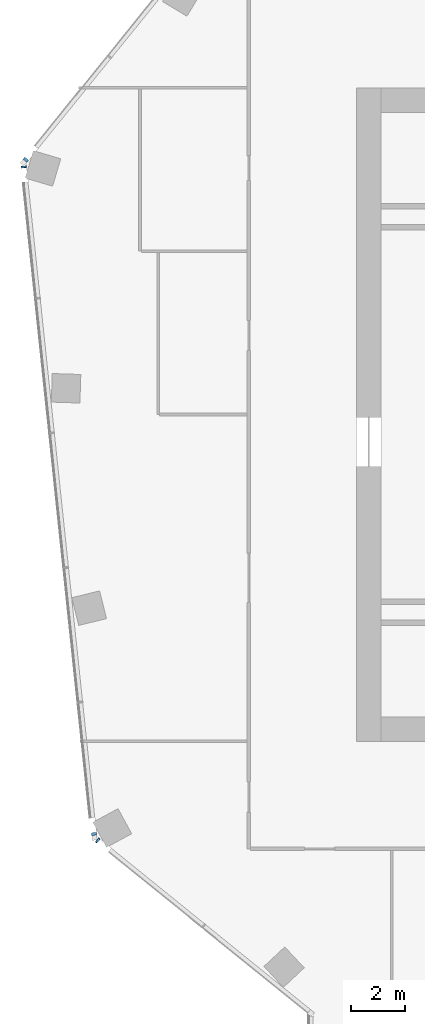
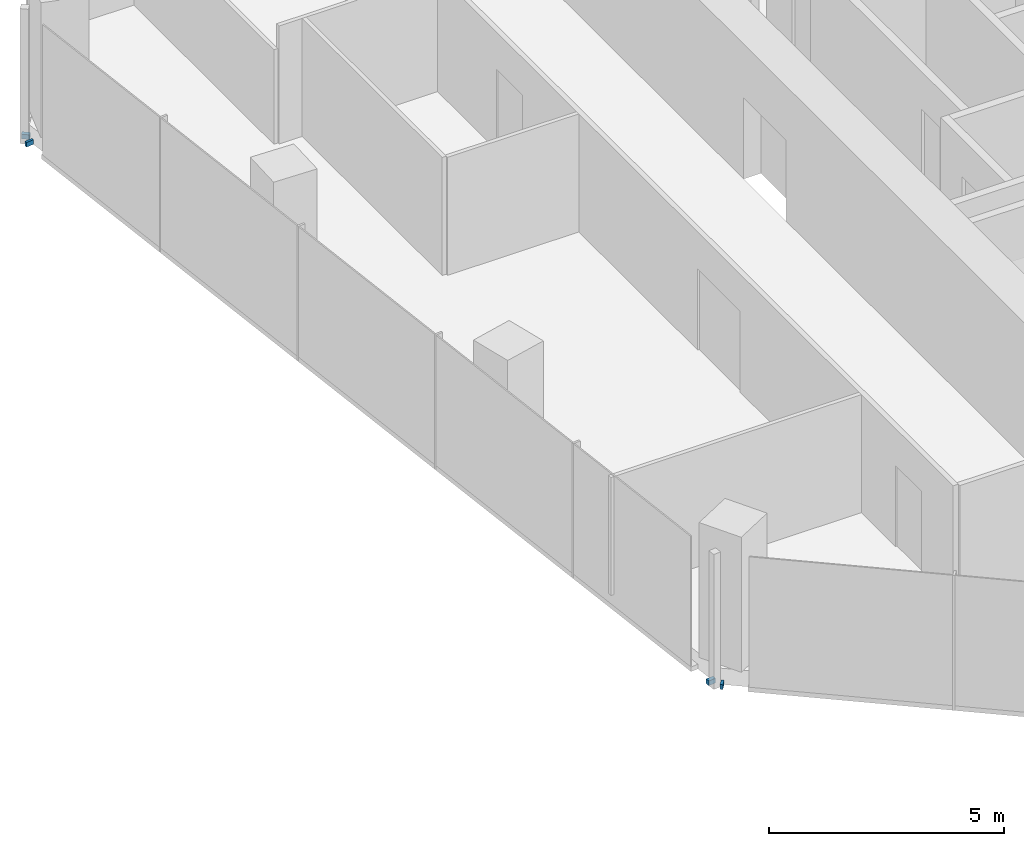
# One storey, part 13 of 23: 4 members, 3 elements without a shape of their own.
"""IFC4 building model written with IfcOpenShell, lengths in metres."""

from ifc_helpers import new_model, si_unit, direction, frame, origin, origin_2d, place, context, subcontext, project, spatial, rectangle, extrude, material, material_profile, profile_set, type_object, element, aggregate, save


model = new_model("IFC4")

# Units and contexts
model_context = context("Model", 3, precision=1e-05, world=origin(), true_north=direction((0.0, 1.0)))
body_context = subcontext(model_context, "Body", "Model", "MODEL_VIEW")
ifc_project = project(units=[si_unit("LENGTHUNIT", "METRE"), si_unit("AREAUNIT", "SQUARE_METRE"), si_unit("VOLUMEUNIT", "CUBIC_METRE"), si_unit("PLANEANGLEUNIT", "RADIAN"), si_unit("MASSUNIT", "GRAM", prefix="KILO")], contexts=[model_context])

# Site, building, storey
site_placement = place(None, origin())
site = spatial("IfcSite", under=ifc_project, at=site_placement, CompositionType="ELEMENT")
building_placement = place(site_placement, origin())
building = spatial("IfcBuilding", under=site, at=building_placement, Name="Orlundy Tower", CompositionType="ELEMENT")
storey_placement = place(building_placement, frame((0.0, 0.0, 221.0)))
storey = spatial("IfcBuildingStorey", under=building, at=storey_placement, Name="L58", CompositionType="ELEMENT", Elevation=221.0)

# Curtain wall, member
ifc_material_1 = material(Name="Aluminium bronze anodised", Category="aluminium")
curtain_wall_type = type_object("IfcCurtainWallType", Name="CW1 wall", PredefinedType="NOTDEFINED", material=ifc_material_1)
curtain_wall_1_placement = place(storey_placement, origin())
curtain_wall_1 = element("IfcCurtainWall", 1, at=curtain_wall_1_placement, inside=storey, type_object=curtain_wall_type, Name="CW1 run 01", PredefinedType="NOTDEFINED")
ifc_material_2 = material(Name="Aluminium bronze anodised", Category="aluminium")
ifc_material_profile = material_profile(ifc_material_2, rectangle(XDim=0.179931640625, YDim=0.1201171875, at=origin_2d()), Name="CW1 transom 180x120")
ifc_profile_set = profile_set([ifc_material_profile], Name="Aluminium bronze anodised")
member_type = type_object("IfcMemberType", Name="CW1 transom 180x120", PredefinedType="USERDEFINED", material=ifc_profile_set)
member_1_placement = place(storey_placement, frame((-28.47607421875, -15.6591796875, -0.360107421875), z_axis=(-0.776966429431, 0.629542030001, 0.0), x_axis=(-0.629542030001, -0.776966429431, 0.0)))
member_1 = element("IfcMember", 2, at=member_1_placement, type_object=member_type, Name="CW1 transom", ObjectType="TRANSOM", PredefinedType="USERDEFINED", context=body_context, shape_type="SweptSolid", body=[
    extrude(rectangle(XDim=0.179931640625, YDim=0.1201171875, at=origin_2d()), origin(), (0.0, 0.0, 1.0), 0.061279296875),
])
aggregate(curtain_wall_1, [member_1])

# Curtain wall, members
curtain_wall_2_placement = place(storey_placement, origin())
curtain_wall_2 = element("IfcCurtainWall", 3, at=curtain_wall_2_placement, inside=storey, type_object=curtain_wall_type, Name="CW1 run 02", PredefinedType="NOTDEFINED")
member_2_placement = place(storey_placement, frame((-28.632080078125, -15.450927734375, -0.360107421875), z_axis=(-0.104168345469, 0.994559679357, 0.0), x_axis=(-0.994559679357, -0.104168345469, 0.0)))
member_2 = element("IfcMember", 4, at=member_2_placement, type_object=member_type, Name="CW1 transom", ObjectType="TRANSOM", PredefinedType="USERDEFINED", context=body_context, shape_type="SweptSolid", body=[
    extrude(rectangle(XDim=0.179931640625, YDim=0.1201171875, at=origin_2d()), origin(), (0.0, 0.0, 1.0), 0.098388671875),
])
member_3_placement = place(storey_placement, frame((-31.208740234375, 9.0625, -0.360107421875), z_axis=(-0.104267266743, 0.994549313552, 0.0), x_axis=(-0.994549313552, -0.104267266743, 0.0)))
member_3 = element("IfcMember", 5, at=member_3_placement, type_object=member_type, Name="CW1 transom", ObjectType="TRANSOM", PredefinedType="USERDEFINED", context=body_context, shape_type="SweptSolid", body=[
    extrude(rectangle(XDim=0.179931640625, YDim=0.1201171875, at=origin_2d()), origin(), (0.0, 0.0, 1.0), 0.060791015625),
])
aggregate(curtain_wall_2, [member_2, member_3])

# Curtain wall, member
curtain_wall_3_placement = place(storey_placement, origin())
curtain_wall_3 = element("IfcCurtainWall", 6, at=curtain_wall_3_placement, inside=storey, type_object=curtain_wall_type, Name="CW1 run 03", PredefinedType="NOTDEFINED")
member_4_placement = place(storey_placement, frame((-31.171875, 9.319580078125, -0.360107421875), z_axis=(0.630125535101, 0.776493277507, 0.0), x_axis=(-0.776493277507, 0.630125535101, 0.0)))
member_4 = element("IfcMember", 7, at=member_4_placement, type_object=member_type, Name="CW1 transom", ObjectType="TRANSOM", PredefinedType="USERDEFINED", context=body_context, shape_type="SweptSolid", body=[
    extrude(rectangle(XDim=0.179931640625, YDim=0.1201171875, at=origin_2d()), origin(), (0.0, 0.0, 1.0), 0.098388671875),
])
aggregate(curtain_wall_3, [member_4])

save(model, "model.ifc")
